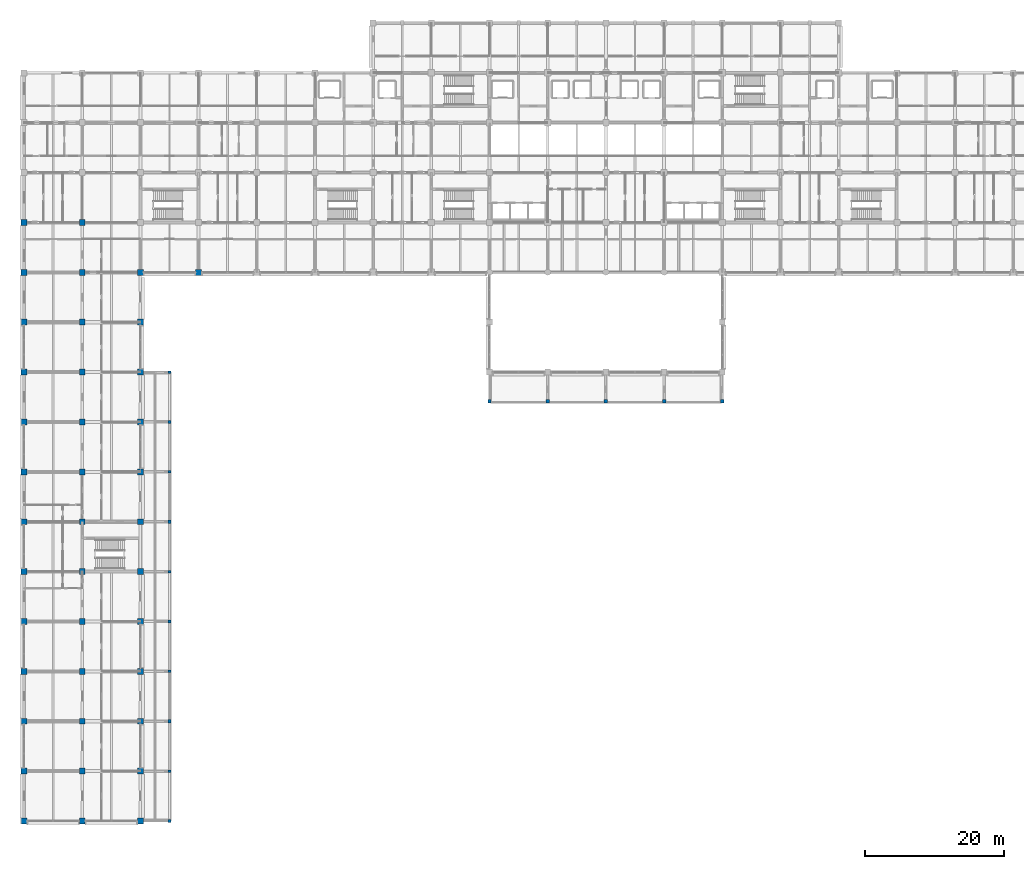
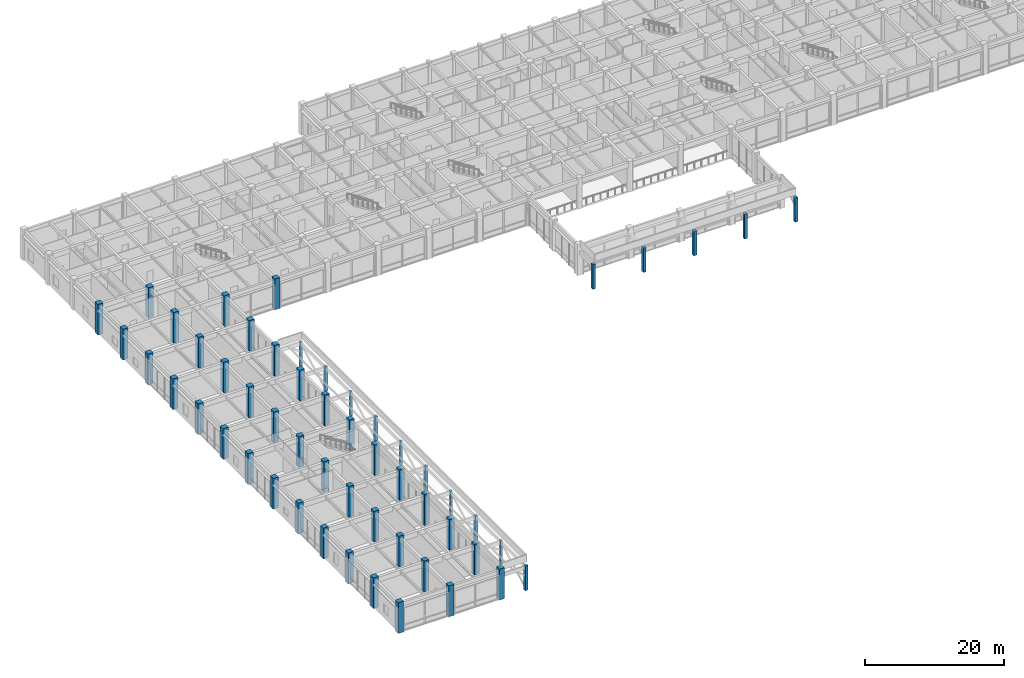
# One storey, part 1 of 68: 54 columns.
"""IFC4 building model written with IfcOpenShell, lengths in metres."""

from ifc_helpers import new_model, si_unit, direction, frame, origin, origin_2d, place, context, subcontext, project, spatial, rectangle, extrude, material, material_profile, profile_set, type_object, element, save


model = new_model("IFC4")

# Units and contexts
model_context = context("Model", 3, precision=1e-05, world=origin(), true_north=direction((0.0, 1.0)))
body_context = subcontext(model_context, "Body", "Model", "MODEL_VIEW")
ifc_project = project(units=[si_unit("LENGTHUNIT", "METRE"), si_unit("AREAUNIT", "SQUARE_METRE"), si_unit("VOLUMEUNIT", "CUBIC_METRE"), si_unit("PLANEANGLEUNIT", "RADIAN"), si_unit("MASSUNIT", "GRAM", prefix="KILO")], contexts=[model_context])

# Site, building, storey
site_placement = place(None, origin())
site = spatial("IfcSite", under=ifc_project, at=site_placement, CompositionType="ELEMENT")
building_placement = place(site_placement, origin())
building = spatial("IfcBuilding", under=site, at=building_placement, Name="Chengyuan Square Courthouse", CompositionType="ELEMENT")
storey_placement = place(building_placement, frame((0.0, 0.0, 5.39990234375)))
storey = spatial("IfcBuildingStorey", under=building, at=storey_placement, Name="L02", CompositionType="ELEMENT", Elevation=5.39990234375)

# Columns
ifc_material_1 = material(Name="Concrete C50", Category="concrete")
ifc_material_profile_1 = material_profile(ifc_material_1, rectangle(XDim=0.85009765625, YDim=0.85009765625, at=origin_2d()), Name="RC-COL-850x850")
ifc_profile_set_1 = profile_set([ifc_material_profile_1], Name="Concrete C50")
column_type_1 = type_object("IfcColumnType", Name="CL-03", PredefinedType="COLUMN", material=ifc_profile_set_1)
for number, where, z_axis, x_axis, name in (
    (1, (0.0, 0.0, 0.0), (0.0, 0.0, 1.0), (1.0, 0.0, 0.0), "Column CL-L02-001"),
    (2, (0.0, 7.199951171875, 0.0), (0.0, 0.0, 1.0), (1.0, 0.0, 0.0), "Column CL-L02-002"),
    (3, (0.0, 14.39990234375, 0.0), (0.0, 0.0, 1.0), (1.0, 0.0, 0.0), "Column CL-L02-003"),
    (4, (0.0, 21.60009765625, 0.0), (0.0, 0.0, 1.0), (1.0, 0.0, 0.0), "Column CL-L02-004"),
    (5, (0.0, 28.800048828125, 0.0), (0.0, 0.0, 1.0), (1.0, 0.0, 0.0), "Column CL-L02-005"),
    (6, (0.0, 36.0, 0.0), (0.0, 0.0, 1.0), (1.0, 0.0, 0.0), "Column CL-L02-006"),
    (7, (0.0, 43.199951171875, 0.0), (0.0, 0.0, 1.0), (1.0, 0.0, 0.0), "Column CL-L02-007"),
    (8, (0.0, 50.39990234375, 0.0), (0.0, 0.0, 1.0), (1.0, 0.0, 0.0), "Column CL-L02-008"),
    (9, (0.0, 57.60009765625, 0.0), (0.0, 0.0, 1.0), (1.0, 0.0, 0.0), "Column CL-L02-009"),
    (10, (0.0, 64.800048828125, 0.0), (0.0, 0.0, 1.0), (1.0, 0.0, 0.0), "Column CL-L02-010"),
    (11, (0.0, 72.0, 0.0), (0.0, 0.0, 1.0), (1.0, 0.0, 0.0), "Column CL-L02-011"),
    (12, (0.0, 79.199951171875, 0.0), (0.0, 0.0, 1.0), (1.0, 0.0, 0.0), "Column CL-L02-012"),
    (13, (0.0, 86.39990234375, 0.0), (0.0, 0.0, 1.0), (1.0, 0.0, 0.0), "Column CL-L02-013"),
    (14, (8.39990234375, 0.0, 0.0), (0.0, 0.0, 1.0), (1.0, 0.0, 0.0), "Column CL-L02-017"),
    (15, (8.39990234375, 7.199951171875, 0.0), (0.0, 0.0, 1.0), (1.0, 0.0, 0.0), "Column CL-L02-018"),
    (16, (8.39990234375, 14.39990234375, 0.0), (0.0, 0.0, 1.0), (1.0, 0.0, 0.0), "Column CL-L02-019"),
    (17, (8.39990234375, 21.60009765625, 0.0), (0.0, 0.0, 1.0), (1.0, 0.0, 0.0), "Column CL-L02-020"),
    (18, (8.39990234375, 28.800048828125, 0.0), (0.0, 0.0, 1.0), (1.0, 0.0, 0.0), "Column CL-L02-021"),
    (19, (8.39990234375, 36.0, 0.0), (0.0, 0.0, 1.0), (1.0, 0.0, 0.0), "Column CL-L02-022"),
    (20, (8.39990234375, 43.199951171875, 0.0), (0.0, 0.0, 1.0), (1.0, 0.0, 0.0), "Column CL-L02-023"),
    (21, (8.39990234375, 50.39990234375, 0.0), (0.0, 0.0, 1.0), (1.0, 0.0, 0.0), "Column CL-L02-024"),
    (22, (8.39990234375, 57.60009765625, 0.0), (0.0, 0.0, 1.0), (1.0, 0.0, 0.0), "Column CL-L02-025"),
    (23, (8.39990234375, 64.800048828125, 0.0), (0.0, 0.0, 1.0), (1.0, 0.0, 0.0), "Column CL-L02-026"),
    (24, (8.39990234375, 72.0, 0.0), (0.0, 0.0, 1.0), (1.0, 0.0, 0.0), "Column CL-L02-027"),
    (25, (8.39990234375, 79.199951171875, 0.0), (0.0, 0.0, 1.0), (1.0, 0.0, 0.0), "Column CL-L02-028"),
    (26, (8.39990234375, 86.39990234375, 0.0), (0.0, 0.0, 1.0), (1.0, 0.0, 0.0), "Column CL-L02-029"),
    (27, (16.800048828125, 0.0, 0.0), (0.0, 0.0, 1.0), (1.0, 0.0, 0.0), "Column CL-L02-033"),
    (28, (16.800048828125, 7.199951171875, 0.0), (0.0, 0.0, 1.0), (1.0, 0.0, 0.0), "Column CL-L02-034"),
    (29, (16.800048828125, 14.39990234375, 0.0), (0.0, 0.0, 1.0), (1.0, 0.0, 0.0), "Column CL-L02-035"),
    (30, (16.800048828125, 21.60009765625, 0.0), (0.0, 0.0, 1.0), (1.0, 0.0, 0.0), "Column CL-L02-036"),
    (31, (16.800048828125, 28.800048828125, 0.0), (0.0, 0.0, 1.0), (1.0, 0.0, 0.0), "Column CL-L02-037"),
    (32, (16.800048828125, 36.0, 0.0), (0.0, 0.0, 1.0), (1.0, 0.0, 0.0), "Column CL-L02-038"),
    (33, (16.800048828125, 43.199951171875, 0.0), (0.0, 0.0, 1.0), (1.0, 0.0, 0.0), "Column CL-L02-039"),
    (34, (16.800048828125, 50.39990234375, 0.0), (0.0, 0.0, 1.0), (1.0, 0.0, 0.0), "Column CL-L02-040"),
    (35, (16.800048828125, 57.60009765625, 0.0), (0.0, 0.0, 1.0), (1.0, 0.0, 0.0), "Column CL-L02-041"),
    (36, (16.800048828125, 64.800048828125, 0.0), (0.0, 0.0, 1.0), (1.0, 0.0, 0.0), "Column CL-L02-042"),
    (37, (16.800048828125, 72.0, 0.0), (0.0, 0.0, 1.0), (1.0, 0.0, 0.0), "Column CL-L02-043"),
    (38, (16.800048828125, 79.199951171875, 0.0), (0.0, 0.0, 1.0), (1.0, 0.0, 0.0), "Column CL-L02-044"),
    (39, (25.199951171875, 79.199951171875, 0.0), (0.0, 0.0, 1.0), (1.0, 0.0, 0.0), "Column CL-L02-049"),
):
    element("IfcColumn", number, at=place(storey_placement, frame(where, z_axis=z_axis, x_axis=x_axis)), inside=storey, type_object=column_type_1, Name=name, PredefinedType="COLUMN", context=body_context, shape_type="SweptSolid", body=[
        extrude(rectangle(XDim=0.85009765625, YDim=0.85009765625, at=origin_2d()), origin(), (0.0, 0.0, 1.0), 5.400146484375),
    ])
ifc_material_2 = material(Name="Glulam TCt28", Category="wood")
ifc_material_profile_2 = material_profile(ifc_material_2, rectangle(XDim=0.47998046875, YDim=0.47998046875, at=origin_2d()), Name="GL-COL-480x480")
ifc_profile_set_2 = profile_set([ifc_material_profile_2], Name="Glulam TCt28")
column_type_2 = type_object("IfcColumnType", Name="GL-01", PredefinedType="COLUMN", material=ifc_profile_set_2)
for number, where, z_axis, x_axis, name in (
    (40, (21.0, 0.0, 0.0), (0.0, 0.0, 1.0), (1.0, 0.0, 0.0), "Glulam Colonnade Column GLC-L02-026"),
    (41, (21.0, 14.39990234375, 0.0), (0.0, 0.0, 1.0), (1.0, 0.0, 0.0), "Glulam Colonnade Column GLC-L02-030"),
    (42, (21.0, 28.800048828125, 0.0), (0.0, 0.0, 1.0), (1.0, 0.0, 0.0), "Glulam Colonnade Column GLC-L02-034"),
    (43, (21.0, 43.199951171875, 0.0), (0.0, 0.0, 1.0), (1.0, 0.0, 0.0), "Glulam Colonnade Column GLC-L02-038"),
    (44, (21.0, 57.60009765625, 0.0), (0.0, 0.0, 1.0), (1.0, 0.0, 0.0), "Glulam Colonnade Column GLC-L02-042"),
    (45, (67.199951171875, 60.60009765625, 0.0), (0.0, 0.0, 1.0), (1.0, 0.0, 0.0), "Glulam Colonnade Column GLC-L02-046"),
    (46, (75.60009765625, 60.60009765625, 0.0), (0.0, 0.0, 1.0), (1.0, 0.0, 0.0), "Glulam Colonnade Column GLC-L02-047"),
    (47, (84.0, 60.60009765625, 0.0), (0.0, 0.0, 1.0), (1.0, 0.0, 0.0), "Glulam Colonnade Column GLC-L02-048"),
    (48, (92.39990234375, 60.60009765625, 0.0), (0.0, 0.0, 1.0), (1.0, 0.0, 0.0), "Glulam Colonnade Column GLC-L02-049"),
    (49, (100.800048828125, 60.60009765625, 0.0), (0.0, 0.0, 1.0), (1.0, 0.0, 0.0), "Glulam Colonnade Column GLC-L02-050"),
):
    element("IfcColumn", number, at=place(storey_placement, frame(where, z_axis=z_axis, x_axis=x_axis)), inside=storey, type_object=column_type_2, Name=name, PredefinedType="COLUMN", context=body_context, shape_type="SweptSolid", body=[
        extrude(rectangle(XDim=0.47998046875, YDim=0.47998046875, at=origin_2d()), origin(), (0.0, 0.0, 1.0), 4.300048828125),
    ])
ifc_material_profile_3 = material_profile(ifc_material_2, rectangle(XDim=0.3798828125, YDim=0.3798828125, at=origin_2d()), Name="GL-COL-380x380")
ifc_profile_set_3 = profile_set([ifc_material_profile_3], Name="Glulam TCt28")
column_type_3 = type_object("IfcColumnType", Name="GL-02", PredefinedType="COLUMN", material=ifc_profile_set_3)
for number, where, z_axis, x_axis, name in (
    (50, (21.0, 7.199951171875, 0.0), (0.0, 0.0, 1.0), (1.0, 0.0, 0.0), "Glulam Colonnade Column GLC-L02-028"),
    (51, (21.0, 21.60009765625, 0.0), (0.0, 0.0, 1.0), (1.0, 0.0, 0.0), "Glulam Colonnade Column GLC-L02-032"),
    (52, (21.0, 36.0, 0.0), (0.0, 0.0, 1.0), (1.0, 0.0, 0.0), "Glulam Colonnade Column GLC-L02-036"),
    (53, (21.0, 50.39990234375, 0.0), (0.0, 0.0, 1.0), (1.0, 0.0, 0.0), "Glulam Colonnade Column GLC-L02-040"),
    (54, (21.0, 64.800048828125, 0.0), (0.0, 0.0, 1.0), (1.0, 0.0, 0.0), "Glulam Colonnade Column GLC-L02-044"),
):
    element("IfcColumn", number, at=place(storey_placement, frame(where, z_axis=z_axis, x_axis=x_axis)), inside=storey, type_object=column_type_3, Name=name, PredefinedType="COLUMN", context=body_context, shape_type="SweptSolid", body=[
        extrude(rectangle(XDim=0.3798828125, YDim=0.3798828125, at=origin_2d()), origin(), (0.0, 0.0, 1.0), 4.300048828125),
    ])

save(model, "model.ifc")
